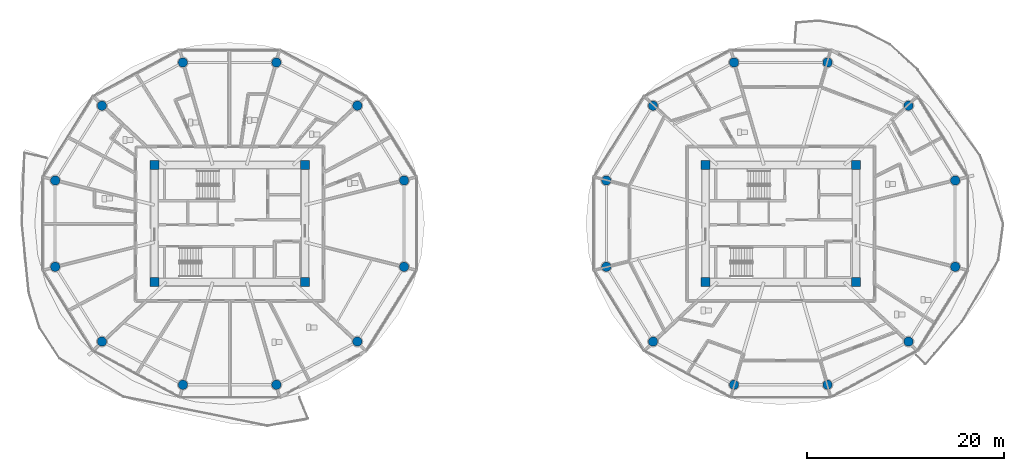
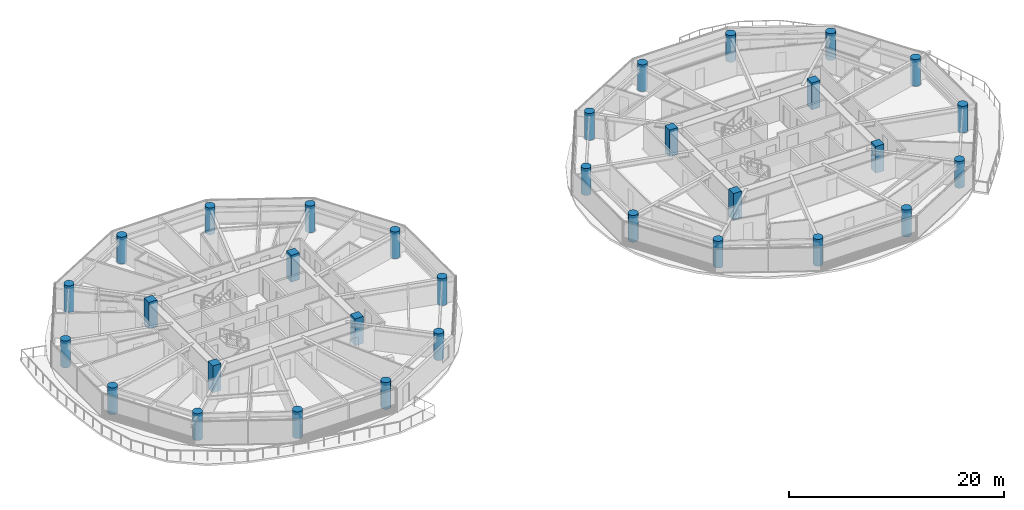
# One storey, part 1 of 31: 32 columns.
"""IFC4 building model written with IfcOpenShell, lengths in metres."""

from ifc_helpers import new_model, si_unit, direction, frame, origin, origin_2d, place, context, subcontext, project, spatial, rectangle, circle, extrude, source, transform, mapped, material, material_profile, profile_set, type_object, type_shapes, element, save


model = new_model("IFC4")

# Units and contexts
model_context = context("Model", 3, precision=1e-05, world=origin(), true_north=direction((0.0, 1.0)))
body_context = subcontext(model_context, "Body", "Model", "MODEL_VIEW")
ifc_project = project(units=[si_unit("LENGTHUNIT", "METRE"), si_unit("AREAUNIT", "SQUARE_METRE"), si_unit("VOLUMEUNIT", "CUBIC_METRE"), si_unit("PLANEANGLEUNIT", "RADIAN"), si_unit("MASSUNIT", "GRAM", prefix="KILO")], contexts=[model_context])

# Site, building, storey
site_placement = place(None, origin())
site = spatial("IfcSite", under=ifc_project, at=site_placement, CompositionType="ELEMENT")
building_placement = place(site_placement, origin())
building = spatial("IfcBuilding", under=site, at=building_placement, Name="Norrkilde Senior Care Towers", CompositionType="ELEMENT")
storey_placement = place(building_placement, frame((0.0, 0.0, 42.949951171875)))
storey = spatial("IfcBuildingStorey", under=building, at=storey_placement, Name="L12", CompositionType="ELEMENT", Elevation=42.949951171875)

# Columns
ifc_material = material(Name="Concrete C60/75", Category="concrete")
ifc_material_profile_1 = material_profile(ifc_material, rectangle(XDim=0.89990234375, YDim=0.89990234375, at=origin_2d()), Name="RC COL 900x900")
ifc_profile_set_1 = profile_set([ifc_material_profile_1], Name="Concrete C60/75")
column_type_1 = type_object("IfcColumnType", Name="Column Core Corner Z1-Z2 900", PredefinedType="COLUMN", material=ifc_profile_set_1)
shared_shape_1 = source(origin(), body_context, "Body", "SweptSolid", [
    extrude(rectangle(XDim=0.89990234375, YDim=0.89990234375, at=origin_2d()), origin(), (0.0, 0.0, 1.0), 3.050048828125),
])
type_shapes(column_type_1, [shared_shape_1])
for number, where, z_axis, x_axis, name in (
    (1, (-35.64990234375, -5.949951171875, 0.0), (0.0, 0.0, 1.0), (1.0, 0.0, 0.0), "L12 Core W Corner Column 1"),
    (2, (-20.35009765625, -5.949951171875, 0.0), (0.0, 0.0, 1.0), (1.0, 0.0, 0.0), "L12 Core W Corner Column 2"),
    (3, (-20.35009765625, 5.949951171875, 0.0), (0.0, 0.0, 1.0), (1.0, 0.0, 0.0), "L12 Core W Corner Column 3"),
    (4, (-35.64990234375, 5.949951171875, 0.0), (0.0, 0.0, 1.0), (1.0, 0.0, 0.0), "L12 Core W Corner Column 4"),
    (5, (20.35009765625, -5.949951171875, 0.0), (0.0, 0.0, 1.0), (1.0, 0.0, 0.0), "L12 Core E Corner Column 1"),
    (6, (35.64990234375, -5.949951171875, 0.0), (0.0, 0.0, 1.0), (1.0, 0.0, 0.0), "L12 Core E Corner Column 2"),
    (7, (35.64990234375, 5.949951171875, 0.0), (0.0, 0.0, 1.0), (1.0, 0.0, 0.0), "L12 Core E Corner Column 3"),
    (8, (20.35009765625, 5.949951171875, 0.0), (0.0, 0.0, 1.0), (1.0, 0.0, 0.0), "L12 Core E Corner Column 4"),
):
    element("IfcColumn", number, at=place(storey_placement, frame(where, z_axis=z_axis, x_axis=x_axis)), inside=storey, type_object=column_type_1, Name=name, PredefinedType="COLUMN", context=body_context, shape_type="MappedRepresentation", body=[
        mapped(shared_shape_1, transform((0.0, 0.0, 0.0), x_axis=(1.0, 0.0, 0.0), y_axis=(0.0, 1.0, 0.0), z_axis=(0.0, 0.0, 1.0), scale=1.0)),
    ])
ifc_material_profile_2 = material_profile(ifc_material, circle(Radius=0.47509765625, at=origin_2d()), Name="RC CIR 950")
ifc_profile_set_2 = profile_set([ifc_material_profile_2], Name="Concrete C60/75")
column_type_2 = type_object("IfcColumnType", Name="Column Perimeter Z1 950", PredefinedType="COLUMN", material=ifc_profile_set_2)
shared_shape_2 = source(origin(), body_context, "Body", "SweptSolid", [
    extrude(circle(Radius=0.47509765625, at=origin_2d()), origin(), (0.0, 0.0, 1.0), 3.050048828125),
])
type_shapes(column_type_2, [shared_shape_2])
for number, where, z_axis, x_axis, name in (
    (9, (-10.275146484375, 4.386962890625, 0.0), (0.0, 0.0, 1.0), (1.0, 0.0, 0.0), "L12 Drum W Perimeter Column 01"),
    (10, (-15.024658203125, 11.9853515625, 0.0), (0.0, 0.0, 1.0), (1.0, 0.0, 0.0), "L12 Drum W Perimeter Column 02"),
    (11, (-23.250732421875, 16.37255859375, 0.0), (0.0, 0.0, 1.0), (1.0, 0.0, 0.0), "L12 Drum W Perimeter Column 03"),
    (12, (-32.749267578125, 16.37255859375, 0.0), (0.0, 0.0, 1.0), (1.0, 0.0, 0.0), "L12 Drum W Perimeter Column 04"),
    (13, (-40.975341796875, 11.9853515625, 0.0), (0.0, 0.0, 1.0), (1.0, 0.0, 0.0), "L12 Drum W Perimeter Column 05"),
    (14, (-45.724853515625, 4.386962890625, 0.0), (0.0, 0.0, 1.0), (1.0, 0.0, 0.0), "L12 Drum W Perimeter Column 06"),
    (15, (-45.724853515625, -4.386962890625, 0.0), (0.0, 0.0, 1.0), (1.0, 0.0, 0.0), "L12 Drum W Perimeter Column 07"),
    (16, (-40.975341796875, -11.9853515625, 0.0), (0.0, 0.0, 1.0), (1.0, 0.0, 0.0), "L12 Drum W Perimeter Column 08"),
    (17, (-32.749267578125, -16.37255859375, 0.0), (0.0, 0.0, 1.0), (1.0, 0.0, 0.0), "L12 Drum W Perimeter Column 09"),
    (18, (-23.250732421875, -16.37255859375, 0.0), (0.0, 0.0, 1.0), (1.0, 0.0, 0.0), "L12 Drum W Perimeter Column 10"),
    (19, (-15.024658203125, -11.9853515625, 0.0), (0.0, 0.0, 1.0), (1.0, 0.0, 0.0), "L12 Drum W Perimeter Column 11"),
    (20, (-10.275146484375, -4.386962890625, 0.0), (0.0, 0.0, 1.0), (1.0, 0.0, 0.0), "L12 Drum W Perimeter Column 12"),
    (21, (45.724853515625, 4.386962890625, 0.0), (0.0, 0.0, 1.0), (1.0, 0.0, 0.0), "L12 Drum E Perimeter Column 01"),
    (22, (40.975341796875, 11.9853515625, 0.0), (0.0, 0.0, 1.0), (1.0, 0.0, 0.0), "L12 Drum E Perimeter Column 02"),
    (23, (32.749267578125, 16.37255859375, 0.0), (0.0, 0.0, 1.0), (1.0, 0.0, 0.0), "L12 Drum E Perimeter Column 03"),
    (24, (23.250732421875, 16.37255859375, 0.0), (0.0, 0.0, 1.0), (1.0, 0.0, 0.0), "L12 Drum E Perimeter Column 04"),
    (25, (15.024658203125, 11.9853515625, 0.0), (0.0, 0.0, 1.0), (1.0, 0.0, 0.0), "L12 Drum E Perimeter Column 05"),
    (26, (10.275146484375, 4.386962890625, 0.0), (0.0, 0.0, 1.0), (1.0, 0.0, 0.0), "L12 Drum E Perimeter Column 06"),
    (27, (10.275146484375, -4.386962890625, 0.0), (0.0, 0.0, 1.0), (1.0, 0.0, 0.0), "L12 Drum E Perimeter Column 07"),
    (28, (15.024658203125, -11.9853515625, 0.0), (0.0, 0.0, 1.0), (1.0, 0.0, 0.0), "L12 Drum E Perimeter Column 08"),
    (29, (23.250732421875, -16.37255859375, 0.0), (0.0, 0.0, 1.0), (1.0, 0.0, 0.0), "L12 Drum E Perimeter Column 09"),
    (30, (32.749267578125, -16.37255859375, 0.0), (0.0, 0.0, 1.0), (1.0, 0.0, 0.0), "L12 Drum E Perimeter Column 10"),
    (31, (40.975341796875, -11.9853515625, 0.0), (0.0, 0.0, 1.0), (1.0, 0.0, 0.0), "L12 Drum E Perimeter Column 11"),
    (32, (45.724853515625, -4.386962890625, 0.0), (0.0, 0.0, 1.0), (1.0, 0.0, 0.0), "L12 Drum E Perimeter Column 12"),
):
    element("IfcColumn", number, at=place(storey_placement, frame(where, z_axis=z_axis, x_axis=x_axis)), inside=storey, type_object=column_type_2, Name=name, PredefinedType="COLUMN", context=body_context, shape_type="MappedRepresentation", body=[
        mapped(shared_shape_2, transform((0.0, 0.0, 0.0), x_axis=(1.0, 0.0, 0.0), y_axis=(0.0, 1.0, 0.0), z_axis=(0.0, 0.0, 1.0), scale=1.0)),
    ])

save(model, "model.ifc")
